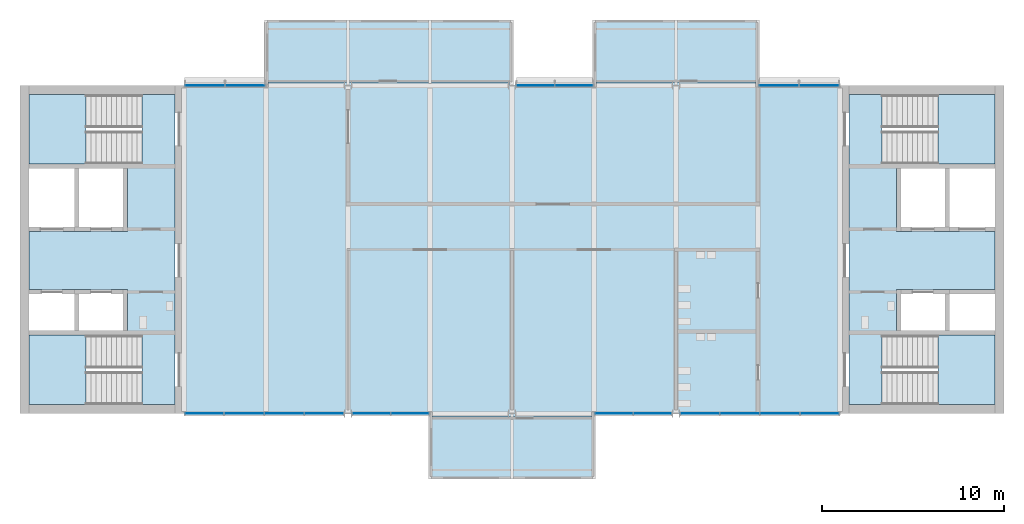
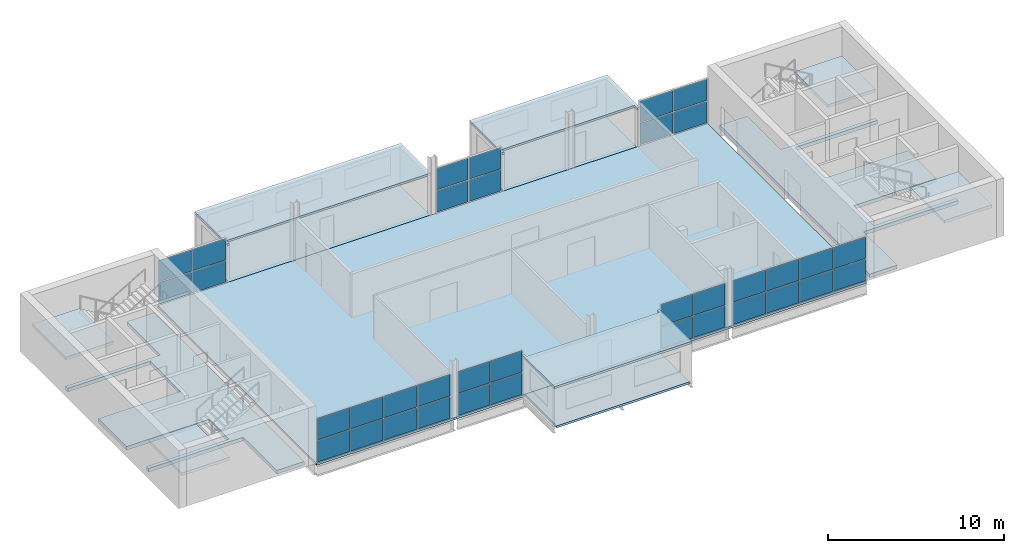
# One storey, part 4 of 10: 36 plates, 13 slabs, 11 elements without a shape of their own.
"""IFC4 building model written with IfcOpenShell, lengths in metres."""

from ifc_helpers import new_model, si_unit, direction, frame, origin, origin_2d, place, context, subcontext, project, spatial, polyline, rectangle, outline, extrude, material, layer, layer_set, type_object, element, aggregate, save


model = new_model("IFC4")

# Units and contexts
model_context = context("Model", 3, precision=1e-05, world=origin(), true_north=direction((0.0, 1.0)))
body_context = subcontext(model_context, "Body", "Model", "MODEL_VIEW")
ifc_project = project(units=[si_unit("LENGTHUNIT", "METRE"), si_unit("AREAUNIT", "SQUARE_METRE"), si_unit("VOLUMEUNIT", "CUBIC_METRE"), si_unit("PLANEANGLEUNIT", "RADIAN"), si_unit("MASSUNIT", "GRAM", prefix="KILO")], contexts=[model_context])

# Site, building, storey
site_placement = place(None, origin())
site = spatial("IfcSite", under=ifc_project, at=site_placement, CompositionType="ELEMENT")
building_placement = place(site_placement, origin())
building = spatial("IfcBuilding", under=site, at=building_placement, Name="Corbel Yard City Hall", CompositionType="ELEMENT")
storey_placement = place(building_placement, frame((0.0, 0.0, 43.199951171875)))
storey = spatial("IfcBuildingStorey", under=building, at=storey_placement, Name="L10", CompositionType="ELEMENT", Elevation=43.199951171875)

# Slabs
ifc_material_1 = material(Name="Concrete N40 (40 MPa)", Category="concrete")
ifc_layer_1 = layer(ifc_material_1, 0.25)
ifc_layer_set_1 = layer_set([ifc_layer_1], Name="Concrete N40 (40 MPa)")
slab_type_1 = type_object("IfcSlabType", Name="CF1", PredefinedType="FLOOR", material=ifc_layer_set_1)
slab_1_placement = place(storey_placement, frame((0.0, 0.0, -0.25)))
element("IfcSlab", 1, at=slab_1_placement, inside=storey, type_object=slab_type_1, Name="Core floor slab", PredefinedType="FLOOR", context=body_context, shape_type="SweptSolid", body=[
    extrude(outline(polyline([(8.5, 116.5), (6.698974609375, 116.5), (6.698974609375, 112.699951171875), (0.5, 112.699951171875), (0.5, 112.449951171875), (5.89990234375, 112.449951171875), (5.89990234375, 109.0), (0.5, 109.0), (0.5, 105.800048828125), (5.89990234375, 105.800048828125), (5.89990234375, 103.550048828125), (0.5, 103.550048828125), (0.5, 103.300048828125), (6.698974609375, 103.300048828125), (6.698974609375, 99.5), (8.5, 99.5), (8.5, 116.5)])), origin(), (0.0, 0.0, 1.0), 0.25),
])
slab_2_placement = place(storey_placement, frame((0.0, 0.0, -0.25)))
element("IfcSlab", 2, at=slab_2_placement, inside=storey, type_object=slab_type_1, Name="Core floor slab", PredefinedType="FLOOR", context=body_context, shape_type="SweptSolid", body=[
    extrude(outline(polyline([(53.5, 103.300048828125), (53.5, 103.550048828125), (48.10009765625, 103.550048828125), (48.10009765625, 105.800048828125), (53.5, 105.800048828125), (53.5, 109.0), (48.10009765625, 109.0), (48.10009765625, 112.449951171875), (53.5, 112.449951171875), (53.5, 112.699951171875), (47.301025390625, 112.699951171875), (47.301025390625, 116.5), (45.5, 116.5), (45.5, 99.5), (47.301025390625, 99.5), (47.301025390625, 103.300048828125), (53.5, 103.300048828125)])), origin(), (0.0, 0.0, 1.0), 0.25),
])
ifc_layer_2 = layer(ifc_material_1, 0.14990234375)
ifc_layer_set_2 = layer_set([ifc_layer_2], Name="Concrete N40 (40 MPa)")
slab_type_2 = type_object("IfcSlabType", Name="Floor slab 150", PredefinedType="FLOOR", material=ifc_layer_set_2)
slab_3_placement = place(storey_placement, frame((0.0, 0.0, -0.14990234375)))
element("IfcSlab", 3, at=slab_3_placement, inside=storey, type_object=slab_type_2, Name="Tower floor slab L10", PredefinedType="FLOOR", context=body_context, shape_type="SweptSolid", body=[
    extrude(outline(polyline([(45.0, 99.0), (45.0, 117.0), (9.0, 117.0), (9.0, 99.0), (45.0, 99.0)])), origin(), (0.0, 0.0, 1.0), 0.14990234375),
])

# Stair, slab
stair_type = type_object("IfcStairType", Name="ST4", PredefinedType="HALF_TURN_STAIR", material=ifc_material_1)
stair_1_placement = place(storey_placement, origin())
stair_1 = element("IfcStair", 4, at=stair_1_placement, inside=storey, type_object=stair_type, Name="Exit stair ST-W1 L10", PredefinedType="HALF_TURN_STAIR")
ifc_layer_3 = layer(ifc_material_1, 0.199951171875)
ifc_layer_set_3 = layer_set([ifc_layer_3], Name="Concrete N40 (40 MPa)")
slab_type_3 = type_object("IfcSlabType", Name="LN1", PredefinedType="LANDING", material=ifc_layer_set_3)
slab_4_placement = place(storey_placement, frame((0.0, 0.0, 1.800048828125)))
slab_4 = element("IfcSlab", 5, at=slab_4_placement, type_object=slab_type_3, Name="ST-W1 landing 1", PredefinedType="LANDING", context=body_context, shape_type="SweptSolid", body=[
    extrude(outline(polyline([(0.5, 99.5), (3.6201171875, 99.5), (3.6201171875, 103.300048828125), (0.5, 103.300048828125), (0.5, 99.5)])), origin(), (0.0, 0.0, 1.0), 0.199951171875),
])
aggregate(stair_1, [slab_4])

stair_2_placement = place(storey_placement, origin())
stair_2 = element("IfcStair", 6, at=stair_2_placement, inside=storey, type_object=stair_type, Name="Exit stair ST-W2 L10", PredefinedType="HALF_TURN_STAIR")
slab_5_placement = place(storey_placement, frame((0.0, 0.0, 1.800048828125)))
slab_5 = element("IfcSlab", 7, at=slab_5_placement, type_object=slab_type_3, Name="ST-W2 landing 1", PredefinedType="LANDING", context=body_context, shape_type="SweptSolid", body=[
    extrude(outline(polyline([(0.5, 112.699951171875), (3.6201171875, 112.699951171875), (3.6201171875, 116.5), (0.5, 116.5), (0.5, 112.699951171875)])), origin(), (0.0, 0.0, 1.0), 0.199951171875),
])
aggregate(stair_2, [slab_5])

stair_3_placement = place(storey_placement, origin())
stair_3 = element("IfcStair", 8, at=stair_3_placement, inside=storey, type_object=stair_type, Name="Exit stair ST-E1 L10", PredefinedType="HALF_TURN_STAIR")
slab_6_placement = place(storey_placement, frame((0.0, 0.0, 1.800048828125)))
slab_6 = element("IfcSlab", 9, at=slab_6_placement, type_object=slab_type_3, Name="ST-E1 landing 1", PredefinedType="LANDING", context=body_context, shape_type="SweptSolid", body=[
    extrude(outline(polyline([(50.3798828125, 99.5), (53.5, 99.5), (53.5, 103.300048828125), (50.3798828125, 103.300048828125), (50.3798828125, 99.5)])), origin(), (0.0, 0.0, 1.0), 0.199951171875),
])
aggregate(stair_3, [slab_6])

stair_4_placement = place(storey_placement, origin())
stair_4 = element("IfcStair", 10, at=stair_4_placement, inside=storey, type_object=stair_type, Name="Exit stair ST-E2 L10", PredefinedType="HALF_TURN_STAIR")
slab_7_placement = place(storey_placement, frame((0.0, 0.0, 1.800048828125)))
slab_7 = element("IfcSlab", 11, at=slab_7_placement, type_object=slab_type_3, Name="ST-E2 landing 1", PredefinedType="LANDING", context=body_context, shape_type="SweptSolid", body=[
    extrude(outline(polyline([(50.3798828125, 112.699951171875), (53.5, 112.699951171875), (53.5, 116.5), (50.3798828125, 116.5), (50.3798828125, 112.699951171875)])), origin(), (0.0, 0.0, 1.0), 0.199951171875),
])
aggregate(stair_4, [slab_7])

# Slabs
ifc_material_2 = material(Name="Concrete N32 (32 MPa)", Category="concrete")
ifc_layer_4 = layer(ifc_material_2, 0.14990234375)
ifc_layer_set_4 = layer_set([ifc_layer_4], Name="Concrete N32 (32 MPa)")
slab_type_4 = type_object("IfcSlabType", Name="PF1", PredefinedType="FLOOR", material=ifc_layer_set_4)
slab_8_placement = place(storey_placement, frame((0.0, 0.0, -0.14990234375)))
element("IfcSlab", 12, at=slab_8_placement, inside=storey, type_object=slab_type_4, Name="Pod floor slab L10", PredefinedType="FLOOR", context=body_context, shape_type="SweptSolid", body=[
    extrude(outline(polyline([(22.64990234375, 95.39990234375), (31.35009765625, 95.39990234375), (31.35009765625, 99.0), (22.64990234375, 99.0), (22.64990234375, 95.39990234375)])), origin(), (0.0, 0.0, 1.0), 0.14990234375),
])
slab_9_placement = place(storey_placement, frame((0.0, 0.0, -0.14990234375)))
element("IfcSlab", 13, at=slab_9_placement, inside=storey, type_object=slab_type_4, Name="Pod floor slab L10", PredefinedType="FLOOR", context=body_context, shape_type="SweptSolid", body=[
    extrude(outline(polyline([(13.64990234375, 117.0), (26.85009765625, 117.0), (26.85009765625, 120.60009765625), (13.64990234375, 120.60009765625), (13.64990234375, 117.0)])), origin(), (0.0, 0.0, 1.0), 0.14990234375),
])
slab_10_placement = place(storey_placement, frame((0.0, 0.0, -0.14990234375)))
element("IfcSlab", 14, at=slab_10_placement, inside=storey, type_object=slab_type_4, Name="Pod floor slab L10", PredefinedType="FLOOR", context=body_context, shape_type="SweptSolid", body=[
    extrude(outline(polyline([(31.64990234375, 117.0), (40.35009765625, 117.0), (40.35009765625, 120.60009765625), (31.64990234375, 120.60009765625), (31.64990234375, 117.0)])), origin(), (0.0, 0.0, 1.0), 0.14990234375),
])
ifc_layer_5 = layer(ifc_material_2, 0.14990234375)
ifc_layer_set_5 = layer_set([ifc_layer_5], Name="Concrete N32 (32 MPa)")
slab_type_5 = type_object("IfcSlabType", Name="PH1", PredefinedType="ROOF", material=ifc_layer_set_5)
slab_11_placement = place(storey_placement, frame((0.0, 0.0, 2.60009765625)))
element("IfcSlab", 15, at=slab_11_placement, inside=storey, type_object=slab_type_5, Name="Pod roof slab L10", PredefinedType="ROOF", context=body_context, shape_type="SweptSolid", body=[
    extrude(outline(polyline([(22.5, 95.39990234375), (31.5, 95.39990234375), (31.5, 99.074951171875), (31.35009765625, 99.074951171875), (31.35009765625, 98.800048828125), (22.64990234375, 98.800048828125), (22.64990234375, 99.074951171875), (22.5, 99.074951171875), (22.5, 95.39990234375)])), origin(), (0.0, 0.0, 1.0), 0.14990234375),
])
slab_12_placement = place(storey_placement, frame((0.0, 0.0, 2.60009765625)))
element("IfcSlab", 16, at=slab_12_placement, inside=storey, type_object=slab_type_5, Name="Pod roof slab L10", PredefinedType="ROOF", context=body_context, shape_type="SweptSolid", body=[
    extrude(outline(polyline([(13.5, 120.60009765625), (13.5, 116.909912109375), (13.64990234375, 116.909912109375), (13.64990234375, 117.199951171875), (27.0, 117.199951171875), (27.0, 120.60009765625), (13.5, 120.60009765625)])), origin(), (0.0, 0.0, 1.0), 0.14990234375),
])
slab_13_placement = place(storey_placement, frame((0.0, 0.0, 2.60009765625)))
element("IfcSlab", 17, at=slab_13_placement, inside=storey, type_object=slab_type_5, Name="Pod roof slab L10", PredefinedType="ROOF", context=body_context, shape_type="SweptSolid", body=[
    extrude(outline(polyline([(31.5, 120.60009765625), (31.5, 116.909912109375), (31.64990234375, 116.909912109375), (31.64990234375, 117.199951171875), (40.35009765625, 117.199951171875), (40.35009765625, 116.909912109375), (40.5, 116.909912109375), (40.5, 120.60009765625), (31.5, 120.60009765625)])), origin(), (0.0, 0.0, 1.0), 0.14990234375),
])

# Curtain wall, plates
ifc_material_3 = material(Name="Aluminium extrusion", Category="aluminium")
ifc_layer_6 = layer(ifc_material_3, 0.14990234375)
ifc_layer_set_6 = layer_set([ifc_layer_6], Name="Aluminium extrusion")
curtain_wall_type_1 = type_object("IfcCurtainWallType", Name="CW2", PredefinedType="USERDEFINED", material=ifc_layer_set_6)
curtain_wall_1_placement = place(storey_placement, origin())
curtain_wall_1 = element("IfcCurtainWall", 18, at=curtain_wall_1_placement, inside=storey, type_object=curtain_wall_type_1, Name="Curtain wall CW2 L10", ObjectType="CURTAIN WALL", PredefinedType="USERDEFINED")
ifc_material_4 = material(Name="Double glazed low-e glass unit", Category="glass")
ifc_layer_7 = layer(ifc_material_4, 0.028076171875)
ifc_layer_set_7 = layer_set([ifc_layer_7], Name="Double glazed low-e glass unit")
plate_type_1 = type_object("IfcPlateType", Name="PN2", PredefinedType="CURTAIN_PANEL", material=ifc_layer_set_7)
plate_1_placement = place(storey_placement, frame((10.115478515625, 99.0, 0.06494140625), z_axis=(0.0, 0.0, 1.0), x_axis=(1.0, 0.0, 0.0)))
plate_1 = element("IfcPlate", 19, at=plate_1_placement, type_object=plate_type_1, Name="CW2 panel 1.1", PredefinedType="CURTAIN_PANEL", context=body_context, shape_type="SweptSolid", body=[
    extrude(rectangle(XDim=2.100830078125, YDim=0.028076171875, at=origin_2d()), origin(), (0.0, 0.0, 1.0), 1.4775390625),
])
plate_2_placement = place(storey_placement, frame((10.115478515625, 99.0, 1.607421875), z_axis=(0.0, 0.0, 1.0), x_axis=(1.0, 0.0, 0.0)))
plate_2 = element("IfcPlate", 20, at=plate_2_placement, type_object=plate_type_1, Name="CW2 panel 1.2", PredefinedType="CURTAIN_PANEL", context=body_context, shape_type="SweptSolid", body=[
    extrude(rectangle(XDim=2.100830078125, YDim=0.028076171875, at=origin_2d()), origin(), (0.0, 0.0, 1.0), 1.4775390625),
])
plate_3_placement = place(storey_placement, frame((12.29736328125, 99.0, 0.06494140625), z_axis=(0.0, 0.0, 1.0), x_axis=(1.0, 0.0, 0.0)))
plate_3 = element("IfcPlate", 21, at=plate_3_placement, type_object=plate_type_1, Name="CW2 panel 2.1", PredefinedType="CURTAIN_PANEL", context=body_context, shape_type="SweptSolid", body=[
    extrude(rectangle(XDim=2.13330078125, YDim=0.028076171875, at=origin_2d()), origin(), (0.0, 0.0, 1.0), 1.4775390625),
])
plate_4_placement = place(storey_placement, frame((12.29736328125, 99.0, 1.607421875), z_axis=(0.0, 0.0, 1.0), x_axis=(1.0, 0.0, 0.0)))
plate_4 = element("IfcPlate", 22, at=plate_4_placement, type_object=plate_type_1, Name="CW2 panel 2.2", PredefinedType="CURTAIN_PANEL", context=body_context, shape_type="SweptSolid", body=[
    extrude(rectangle(XDim=2.13330078125, YDim=0.028076171875, at=origin_2d()), origin(), (0.0, 0.0, 1.0), 1.4775390625),
])
plate_5_placement = place(storey_placement, frame((14.49560546875, 99.0, 0.06494140625), z_axis=(0.0, 0.0, 1.0), x_axis=(1.0, 0.0, 0.0)))
plate_5 = element("IfcPlate", 23, at=plate_5_placement, type_object=plate_type_1, Name="CW2 panel 3.1", PredefinedType="CURTAIN_PANEL", context=body_context, shape_type="SweptSolid", body=[
    extrude(rectangle(XDim=2.13330078125, YDim=0.028076171875, at=origin_2d()), origin(), (0.0, 0.0, 1.0), 1.4775390625),
])
plate_6_placement = place(storey_placement, frame((14.49560546875, 99.0, 1.607421875), z_axis=(0.0, 0.0, 1.0), x_axis=(1.0, 0.0, 0.0)))
plate_6 = element("IfcPlate", 24, at=plate_6_placement, type_object=plate_type_1, Name="CW2 panel 3.2", PredefinedType="CURTAIN_PANEL", context=body_context, shape_type="SweptSolid", body=[
    extrude(rectangle(XDim=2.13330078125, YDim=0.028076171875, at=origin_2d()), origin(), (0.0, 0.0, 1.0), 1.4775390625),
])
plate_7_placement = place(storey_placement, frame((16.677734375, 99.0, 0.06494140625), z_axis=(0.0, 0.0, 1.0), x_axis=(1.0, 0.0, 0.0)))
plate_7 = element("IfcPlate", 25, at=plate_7_placement, type_object=plate_type_1, Name="CW2 panel 4.1", PredefinedType="CURTAIN_PANEL", context=body_context, shape_type="SweptSolid", body=[
    extrude(rectangle(XDim=2.100830078125, YDim=0.028076171875, at=origin_2d()), origin(), (0.0, 0.0, 1.0), 1.4775390625),
])
plate_8_placement = place(storey_placement, frame((16.677734375, 99.0, 1.607421875), z_axis=(0.0, 0.0, 1.0), x_axis=(1.0, 0.0, 0.0)))
plate_8 = element("IfcPlate", 26, at=plate_8_placement, type_object=plate_type_1, Name="CW2 panel 4.2", PredefinedType="CURTAIN_PANEL", context=body_context, shape_type="SweptSolid", body=[
    extrude(rectangle(XDim=2.100830078125, YDim=0.028076171875, at=origin_2d()), origin(), (0.0, 0.0, 1.0), 1.4775390625),
])
aggregate(curtain_wall_1, [plate_1, plate_2, plate_3, plate_4, plate_5, plate_6, plate_7, plate_8])

curtain_wall_2_placement = place(storey_placement, origin())
curtain_wall_2 = element("IfcCurtainWall", 27, at=curtain_wall_2_placement, inside=storey, type_object=curtain_wall_type_1, Name="Curtain wall CW2 L10", ObjectType="CURTAIN WALL", PredefinedType="USERDEFINED")
plate_9_placement = place(storey_placement, frame((19.29638671875, 99.0, 0.06494140625), z_axis=(0.0, 0.0, 1.0), x_axis=(1.0, 0.0, 0.0)))
plate_9 = element("IfcPlate", 28, at=plate_9_placement, type_object=plate_type_1, Name="CW2 panel 1.1", PredefinedType="CURTAIN_PANEL", context=body_context, shape_type="SweptSolid", body=[
    extrude(rectangle(XDim=2.049072265625, YDim=0.028076171875, at=origin_2d()), origin(), (0.0, 0.0, 1.0), 1.4775390625),
])
plate_10_placement = place(storey_placement, frame((19.29638671875, 99.0, 1.607421875), z_axis=(0.0, 0.0, 1.0), x_axis=(1.0, 0.0, 0.0)))
plate_10 = element("IfcPlate", 29, at=plate_10_placement, type_object=plate_type_1, Name="CW2 panel 1.2", PredefinedType="CURTAIN_PANEL", context=body_context, shape_type="SweptSolid", body=[
    extrude(rectangle(XDim=2.049072265625, YDim=0.028076171875, at=origin_2d()), origin(), (0.0, 0.0, 1.0), 1.4775390625),
])
plate_11_placement = place(storey_placement, frame((21.410400390625, 99.0, 0.06494140625), z_axis=(0.0, 0.0, 1.0), x_axis=(1.0, 0.0, 0.0)))
plate_11 = element("IfcPlate", 30, at=plate_11_placement, type_object=plate_type_1, Name="CW2 panel 2.1", PredefinedType="CURTAIN_PANEL", context=body_context, shape_type="SweptSolid", body=[
    extrude(rectangle(XDim=2.049072265625, YDim=0.028076171875, at=origin_2d()), origin(), (0.0, 0.0, 1.0), 1.4775390625),
])
plate_12_placement = place(storey_placement, frame((21.410400390625, 99.0, 1.607421875), z_axis=(0.0, 0.0, 1.0), x_axis=(1.0, 0.0, 0.0)))
plate_12 = element("IfcPlate", 31, at=plate_12_placement, type_object=plate_type_1, Name="CW2 panel 2.2", PredefinedType="CURTAIN_PANEL", context=body_context, shape_type="SweptSolid", body=[
    extrude(rectangle(XDim=2.049072265625, YDim=0.028076171875, at=origin_2d()), origin(), (0.0, 0.0, 1.0), 1.4775390625),
])
aggregate(curtain_wall_2, [plate_9, plate_10, plate_11, plate_12])

curtain_wall_3_placement = place(storey_placement, origin())
curtain_wall_3 = element("IfcCurtainWall", 32, at=curtain_wall_3_placement, inside=storey, type_object=curtain_wall_type_1, Name="Curtain wall CW2 L10", ObjectType="CURTAIN WALL", PredefinedType="USERDEFINED")
plate_13_placement = place(storey_placement, frame((32.589599609375, 99.0, 0.06494140625), z_axis=(0.0, 0.0, 1.0), x_axis=(1.0, 0.0, 0.0)))
plate_13 = element("IfcPlate", 33, at=plate_13_placement, type_object=plate_type_1, Name="CW2 panel 1.1", PredefinedType="CURTAIN_PANEL", context=body_context, shape_type="SweptSolid", body=[
    extrude(rectangle(XDim=2.049072265625, YDim=0.028076171875, at=origin_2d()), origin(), (0.0, 0.0, 1.0), 1.4775390625),
])
plate_14_placement = place(storey_placement, frame((32.589599609375, 99.0, 1.607421875), z_axis=(0.0, 0.0, 1.0), x_axis=(1.0, 0.0, 0.0)))
plate_14 = element("IfcPlate", 34, at=plate_14_placement, type_object=plate_type_1, Name="CW2 panel 1.2", PredefinedType="CURTAIN_PANEL", context=body_context, shape_type="SweptSolid", body=[
    extrude(rectangle(XDim=2.049072265625, YDim=0.028076171875, at=origin_2d()), origin(), (0.0, 0.0, 1.0), 1.4775390625),
])
plate_15_placement = place(storey_placement, frame((34.70361328125, 99.0, 0.06494140625), z_axis=(0.0, 0.0, 1.0), x_axis=(1.0, 0.0, 0.0)))
plate_15 = element("IfcPlate", 35, at=plate_15_placement, type_object=plate_type_1, Name="CW2 panel 2.1", PredefinedType="CURTAIN_PANEL", context=body_context, shape_type="SweptSolid", body=[
    extrude(rectangle(XDim=2.049072265625, YDim=0.028076171875, at=origin_2d()), origin(), (0.0, 0.0, 1.0), 1.4775390625),
])
plate_16_placement = place(storey_placement, frame((34.70361328125, 99.0, 1.607421875), z_axis=(0.0, 0.0, 1.0), x_axis=(1.0, 0.0, 0.0)))
plate_16 = element("IfcPlate", 36, at=plate_16_placement, type_object=plate_type_1, Name="CW2 panel 2.2", PredefinedType="CURTAIN_PANEL", context=body_context, shape_type="SweptSolid", body=[
    extrude(rectangle(XDim=2.049072265625, YDim=0.028076171875, at=origin_2d()), origin(), (0.0, 0.0, 1.0), 1.4775390625),
])
aggregate(curtain_wall_3, [plate_13, plate_14, plate_15, plate_16])

curtain_wall_4_placement = place(storey_placement, origin())
curtain_wall_4 = element("IfcCurtainWall", 37, at=curtain_wall_4_placement, inside=storey, type_object=curtain_wall_type_1, Name="Curtain wall CW2 L10", ObjectType="CURTAIN WALL", PredefinedType="USERDEFINED")
plate_17_placement = place(storey_placement, frame((37.322265625, 99.0, 0.06494140625), z_axis=(0.0, 0.0, 1.0), x_axis=(1.0, 0.0, 0.0)))
plate_17 = element("IfcPlate", 38, at=plate_17_placement, type_object=plate_type_1, Name="CW2 panel 1.1", PredefinedType="CURTAIN_PANEL", context=body_context, shape_type="SweptSolid", body=[
    extrude(rectangle(XDim=2.100830078125, YDim=0.028076171875, at=origin_2d()), origin(), (0.0, 0.0, 1.0), 1.4775390625),
])
plate_18_placement = place(storey_placement, frame((37.322265625, 99.0, 1.607421875), z_axis=(0.0, 0.0, 1.0), x_axis=(1.0, 0.0, 0.0)))
plate_18 = element("IfcPlate", 39, at=plate_18_placement, type_object=plate_type_1, Name="CW2 panel 1.2", PredefinedType="CURTAIN_PANEL", context=body_context, shape_type="SweptSolid", body=[
    extrude(rectangle(XDim=2.100830078125, YDim=0.028076171875, at=origin_2d()), origin(), (0.0, 0.0, 1.0), 1.4775390625),
])
plate_19_placement = place(storey_placement, frame((39.50439453125, 99.0, 0.06494140625), z_axis=(0.0, 0.0, 1.0), x_axis=(1.0, 0.0, 0.0)))
plate_19 = element("IfcPlate", 40, at=plate_19_placement, type_object=plate_type_1, Name="CW2 panel 2.1", PredefinedType="CURTAIN_PANEL", context=body_context, shape_type="SweptSolid", body=[
    extrude(rectangle(XDim=2.13330078125, YDim=0.028076171875, at=origin_2d()), origin(), (0.0, 0.0, 1.0), 1.4775390625),
])
plate_20_placement = place(storey_placement, frame((39.50439453125, 99.0, 1.607421875), z_axis=(0.0, 0.0, 1.0), x_axis=(1.0, 0.0, 0.0)))
plate_20 = element("IfcPlate", 41, at=plate_20_placement, type_object=plate_type_1, Name="CW2 panel 2.2", PredefinedType="CURTAIN_PANEL", context=body_context, shape_type="SweptSolid", body=[
    extrude(rectangle(XDim=2.13330078125, YDim=0.028076171875, at=origin_2d()), origin(), (0.0, 0.0, 1.0), 1.4775390625),
])
plate_21_placement = place(storey_placement, frame((41.70263671875, 99.0, 0.06494140625), z_axis=(0.0, 0.0, 1.0), x_axis=(1.0, 0.0, 0.0)))
plate_21 = element("IfcPlate", 42, at=plate_21_placement, type_object=plate_type_1, Name="CW2 panel 3.1", PredefinedType="CURTAIN_PANEL", context=body_context, shape_type="SweptSolid", body=[
    extrude(rectangle(XDim=2.13330078125, YDim=0.028076171875, at=origin_2d()), origin(), (0.0, 0.0, 1.0), 1.4775390625),
])
plate_22_placement = place(storey_placement, frame((41.70263671875, 99.0, 1.607421875), z_axis=(0.0, 0.0, 1.0), x_axis=(1.0, 0.0, 0.0)))
plate_22 = element("IfcPlate", 43, at=plate_22_placement, type_object=plate_type_1, Name="CW2 panel 3.2", PredefinedType="CURTAIN_PANEL", context=body_context, shape_type="SweptSolid", body=[
    extrude(rectangle(XDim=2.13330078125, YDim=0.028076171875, at=origin_2d()), origin(), (0.0, 0.0, 1.0), 1.4775390625),
])
plate_23_placement = place(storey_placement, frame((43.884521484375, 99.0, 0.06494140625), z_axis=(0.0, 0.0, 1.0), x_axis=(1.0, 0.0, 0.0)))
plate_23 = element("IfcPlate", 44, at=plate_23_placement, type_object=plate_type_1, Name="CW2 panel 4.1", PredefinedType="CURTAIN_PANEL", context=body_context, shape_type="SweptSolid", body=[
    extrude(rectangle(XDim=2.100830078125, YDim=0.028076171875, at=origin_2d()), origin(), (0.0, 0.0, 1.0), 1.4775390625),
])
plate_24_placement = place(storey_placement, frame((43.884521484375, 99.0, 1.607421875), z_axis=(0.0, 0.0, 1.0), x_axis=(1.0, 0.0, 0.0)))
plate_24 = element("IfcPlate", 45, at=plate_24_placement, type_object=plate_type_1, Name="CW2 panel 4.2", PredefinedType="CURTAIN_PANEL", context=body_context, shape_type="SweptSolid", body=[
    extrude(rectangle(XDim=2.100830078125, YDim=0.028076171875, at=origin_2d()), origin(), (0.0, 0.0, 1.0), 1.4775390625),
])
aggregate(curtain_wall_4, [plate_17, plate_18, plate_19, plate_20, plate_21, plate_22, plate_23, plate_24])

ifc_layer_8 = layer(ifc_material_3, 0.179931640625)
ifc_layer_set_8 = layer_set([ifc_layer_8], Name="Aluminium extrusion")
curtain_wall_type_2 = type_object("IfcCurtainWallType", Name="CW6", PredefinedType="USERDEFINED", material=ifc_layer_set_8)
curtain_wall_5_placement = place(storey_placement, origin())
curtain_wall_5 = element("IfcCurtainWall", 46, at=curtain_wall_5_placement, inside=storey, type_object=curtain_wall_type_2, Name="Curtain wall CW6 L10", ObjectType="CURTAIN WALL", PredefinedType="USERDEFINED")
ifc_material_5 = material(Name="Double glazed low-e glass unit, ceramic fritted", Category="glass")
ifc_layer_9 = layer(ifc_material_5, 0.02392578125)
ifc_layer_set_9 = layer_set([ifc_layer_9], Name="Double glazed low-e glass unit, ceramic fritted")
plate_type_2 = type_object("IfcPlateType", Name="PN7", PredefinedType="CURTAIN_PANEL", material=ifc_layer_set_9)
plate_25_placement = place(storey_placement, frame((10.141357421875, 117.0, 0.06494140625), z_axis=(0.0, 0.0, 1.0), x_axis=(1.0, 0.0, 0.0)))
plate_25 = element("IfcPlate", 47, at=plate_25_placement, type_object=plate_type_2, Name="CW6 panel 1.1", PredefinedType="CURTAIN_PANEL", context=body_context, shape_type="SweptSolid", body=[
    extrude(rectangle(XDim=2.152587890625, YDim=0.02392578125, at=origin_2d()), origin(), (0.0, 0.0, 1.0), 1.4775390625),
])
plate_26_placement = place(storey_placement, frame((10.141357421875, 117.0, 1.607421875), z_axis=(0.0, 0.0, 1.0), x_axis=(1.0, 0.0, 0.0)))
plate_26 = element("IfcPlate", 48, at=plate_26_placement, type_object=plate_type_2, Name="CW6 panel 1.2", PredefinedType="CURTAIN_PANEL", context=body_context, shape_type="SweptSolid", body=[
    extrude(rectangle(XDim=2.152587890625, YDim=0.02392578125, at=origin_2d()), origin(), (0.0, 0.0, 1.0), 1.4775390625),
])
plate_27_placement = place(storey_placement, frame((12.358642578125, 117.0, 0.06494140625), z_axis=(0.0, 0.0, 1.0), x_axis=(1.0, 0.0, 0.0)))
plate_27 = element("IfcPlate", 49, at=plate_27_placement, type_object=plate_type_2, Name="CW6 panel 2.1", PredefinedType="CURTAIN_PANEL", context=body_context, shape_type="SweptSolid", body=[
    extrude(rectangle(XDim=2.152587890625, YDim=0.02392578125, at=origin_2d()), origin(), (0.0, 0.0, 1.0), 1.4775390625),
])
plate_28_placement = place(storey_placement, frame((12.358642578125, 117.0, 1.607421875), z_axis=(0.0, 0.0, 1.0), x_axis=(1.0, 0.0, 0.0)))
plate_28 = element("IfcPlate", 50, at=plate_28_placement, type_object=plate_type_2, Name="CW6 panel 2.2", PredefinedType="CURTAIN_PANEL", context=body_context, shape_type="SweptSolid", body=[
    extrude(rectangle(XDim=2.152587890625, YDim=0.02392578125, at=origin_2d()), origin(), (0.0, 0.0, 1.0), 1.4775390625),
])
aggregate(curtain_wall_5, [plate_25, plate_26, plate_27, plate_28])

curtain_wall_6_placement = place(storey_placement, origin())
curtain_wall_6 = element("IfcCurtainWall", 51, at=curtain_wall_6_placement, inside=storey, type_object=curtain_wall_type_2, Name="Curtain wall CW6 L10", ObjectType="CURTAIN WALL", PredefinedType="USERDEFINED")
plate_29_placement = place(storey_placement, frame((28.29638671875, 117.0, 0.06494140625), z_axis=(0.0, 0.0, 1.0), x_axis=(1.0, 0.0, 0.0)))
plate_29 = element("IfcPlate", 52, at=plate_29_placement, type_object=plate_type_2, Name="CW6 panel 1.1", PredefinedType="CURTAIN_PANEL", context=body_context, shape_type="SweptSolid", body=[
    extrude(rectangle(XDim=2.049072265625, YDim=0.02392578125, at=origin_2d()), origin(), (0.0, 0.0, 1.0), 1.4775390625),
])
plate_30_placement = place(storey_placement, frame((28.29638671875, 117.0, 1.607421875), z_axis=(0.0, 0.0, 1.0), x_axis=(1.0, 0.0, 0.0)))
plate_30 = element("IfcPlate", 53, at=plate_30_placement, type_object=plate_type_2, Name="CW6 panel 1.2", PredefinedType="CURTAIN_PANEL", context=body_context, shape_type="SweptSolid", body=[
    extrude(rectangle(XDim=2.049072265625, YDim=0.02392578125, at=origin_2d()), origin(), (0.0, 0.0, 1.0), 1.4775390625),
])
plate_31_placement = place(storey_placement, frame((30.410400390625, 117.0, 0.06494140625), z_axis=(0.0, 0.0, 1.0), x_axis=(1.0, 0.0, 0.0)))
plate_31 = element("IfcPlate", 54, at=plate_31_placement, type_object=plate_type_2, Name="CW6 panel 2.1", PredefinedType="CURTAIN_PANEL", context=body_context, shape_type="SweptSolid", body=[
    extrude(rectangle(XDim=2.049072265625, YDim=0.02392578125, at=origin_2d()), origin(), (0.0, 0.0, 1.0), 1.4775390625),
])
plate_32_placement = place(storey_placement, frame((30.410400390625, 117.0, 1.607421875), z_axis=(0.0, 0.0, 1.0), x_axis=(1.0, 0.0, 0.0)))
plate_32 = element("IfcPlate", 55, at=plate_32_placement, type_object=plate_type_2, Name="CW6 panel 2.2", PredefinedType="CURTAIN_PANEL", context=body_context, shape_type="SweptSolid", body=[
    extrude(rectangle(XDim=2.049072265625, YDim=0.02392578125, at=origin_2d()), origin(), (0.0, 0.0, 1.0), 1.4775390625),
])
aggregate(curtain_wall_6, [plate_29, plate_30, plate_31, plate_32])

curtain_wall_7_placement = place(storey_placement, origin())
curtain_wall_7 = element("IfcCurtainWall", 56, at=curtain_wall_7_placement, inside=storey, type_object=curtain_wall_type_2, Name="Curtain wall CW6 L10", ObjectType="CURTAIN WALL", PredefinedType="USERDEFINED")
plate_33_placement = place(storey_placement, frame((41.641357421875, 117.0, 0.06494140625), z_axis=(0.0, 0.0, 1.0), x_axis=(1.0, 0.0, 0.0)))
plate_33 = element("IfcPlate", 57, at=plate_33_placement, type_object=plate_type_2, Name="CW6 panel 1.1", PredefinedType="CURTAIN_PANEL", context=body_context, shape_type="SweptSolid", body=[
    extrude(rectangle(XDim=2.152587890625, YDim=0.02392578125, at=origin_2d()), origin(), (0.0, 0.0, 1.0), 1.4775390625),
])
plate_34_placement = place(storey_placement, frame((41.641357421875, 117.0, 1.607421875), z_axis=(0.0, 0.0, 1.0), x_axis=(1.0, 0.0, 0.0)))
plate_34 = element("IfcPlate", 58, at=plate_34_placement, type_object=plate_type_2, Name="CW6 panel 1.2", PredefinedType="CURTAIN_PANEL", context=body_context, shape_type="SweptSolid", body=[
    extrude(rectangle(XDim=2.152587890625, YDim=0.02392578125, at=origin_2d()), origin(), (0.0, 0.0, 1.0), 1.4775390625),
])
plate_35_placement = place(storey_placement, frame((43.858642578125, 117.0, 0.06494140625), z_axis=(0.0, 0.0, 1.0), x_axis=(1.0, 0.0, 0.0)))
plate_35 = element("IfcPlate", 59, at=plate_35_placement, type_object=plate_type_2, Name="CW6 panel 2.1", PredefinedType="CURTAIN_PANEL", context=body_context, shape_type="SweptSolid", body=[
    extrude(rectangle(XDim=2.152587890625, YDim=0.02392578125, at=origin_2d()), origin(), (0.0, 0.0, 1.0), 1.4775390625),
])
plate_36_placement = place(storey_placement, frame((43.858642578125, 117.0, 1.607421875), z_axis=(0.0, 0.0, 1.0), x_axis=(1.0, 0.0, 0.0)))
plate_36 = element("IfcPlate", 60, at=plate_36_placement, type_object=plate_type_2, Name="CW6 panel 2.2", PredefinedType="CURTAIN_PANEL", context=body_context, shape_type="SweptSolid", body=[
    extrude(rectangle(XDim=2.152587890625, YDim=0.02392578125, at=origin_2d()), origin(), (0.0, 0.0, 1.0), 1.4775390625),
])
aggregate(curtain_wall_7, [plate_33, plate_34, plate_35, plate_36])

save(model, "model.ifc")
